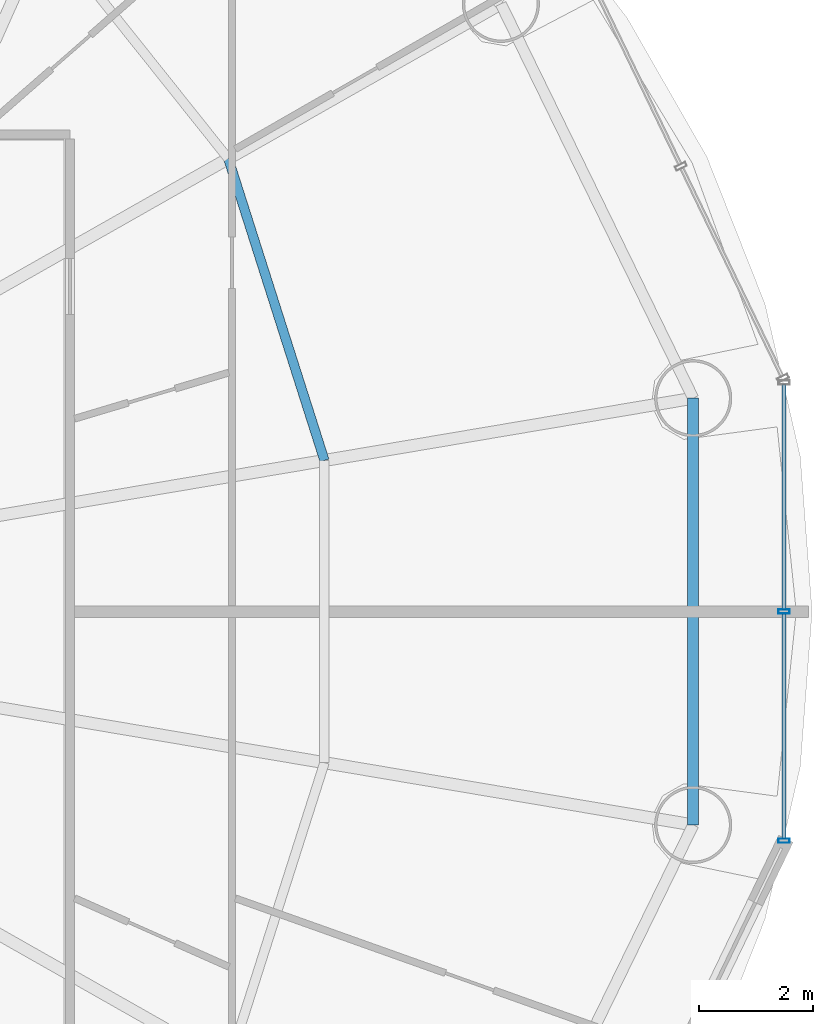
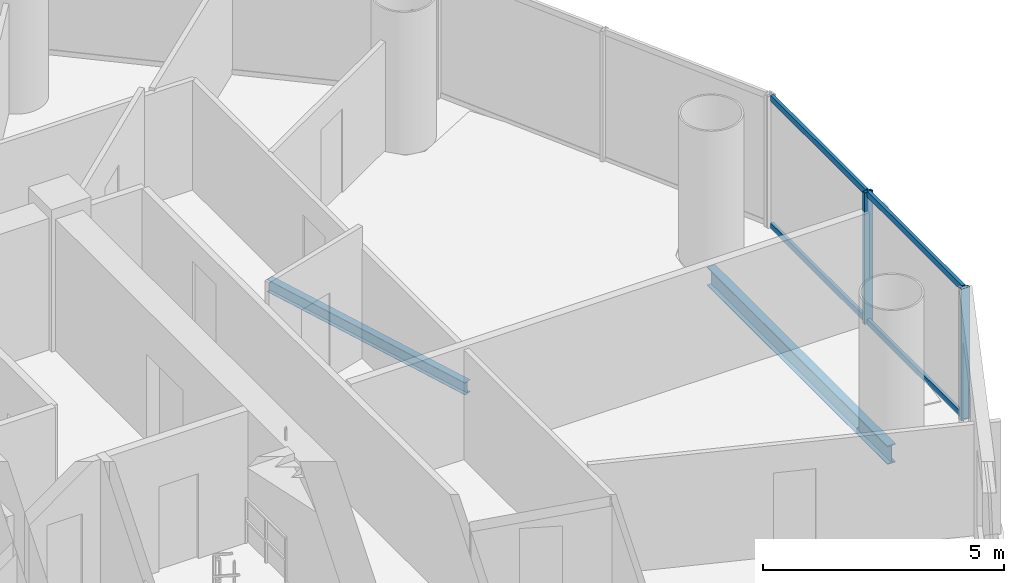
# One storey, part 12 of 27: 6 members, 2 beams, 1 element without a shape of its own.
"""IFC4 building model written with IfcOpenShell, lengths in metres."""

from ifc_helpers import new_model, si_unit, direction, frame, origin, origin_2d, place, context, subcontext, project, spatial, hollow_rectangle, i_section, extrude, source, transform, mapped, material, material_profile, profile_set, type_object, element, aggregate, save


model = new_model("IFC4")

# Units and contexts
model_context = context("Model", 3, precision=1e-05, world=origin(), true_north=direction((-0.2419218956, 0.970295726276)))
body_context = subcontext(model_context, "Body", "Model", "MODEL_VIEW")
ifc_project = project(units=[si_unit("LENGTHUNIT", "METRE"), si_unit("AREAUNIT", "SQUARE_METRE"), si_unit("VOLUMEUNIT", "CUBIC_METRE"), si_unit("PLANEANGLEUNIT", "RADIAN"), si_unit("MASSUNIT", "GRAM", prefix="KILO")], contexts=[model_context])

# Site, building, storey
site_placement = place(None, origin())
site = spatial("IfcSite", under=ifc_project, at=site_placement, CompositionType="ELEMENT")
building_placement = place(site_placement, origin())
building = spatial("IfcBuilding", under=site, at=building_placement, Name="Cobrevalo Terracotta Tower", CompositionType="ELEMENT")
storey_placement = place(building_placement, frame((0.0, 0.0, 164.199951171875)))
storey = spatial("IfcBuildingStorey", under=building, at=storey_placement, Name="L43", CompositionType="ELEMENT", Elevation=164.199951171875)

# Beams
ifc_material_1 = material(Name="Steel S355", Category="steel")
ifc_material_profile_1 = material_profile(ifc_material_1, i_section(OverallWidth=0.1650390625, OverallDepth=0.31005859375, WebThickness=0.005859375, FlangeThickness=0.009765625, at=origin_2d()), Name="W 310x38.7")
ifc_profile_set_1 = profile_set([ifc_material_profile_1], Name="Steel S355")
beam_type_1 = type_object("IfcBeamType", Name="Structural Joist W 310x38.7 (Steel S355)", PredefinedType="JOIST", material=ifc_profile_set_1)
beam_1_placement = place(storey_placement, frame((53.660888671875, 29.445556640625, -0.425048828125), z_axis=(-0.303497928386, 0.952832098255, 0.0), x_axis=(-0.952832098255, -0.303497928386, 0.0)))
element("IfcBeam", 1, at=beam_1_placement, inside=storey, type_object=beam_type_1, Name="L43 circumferential secondary floor joist 01", PredefinedType="JOIST", context=body_context, shape_type="SweptSolid", body=[
    extrude(i_section(OverallWidth=0.1650390625, OverallDepth=0.31005859375, WebThickness=0.005859375, FlangeThickness=0.009765625, at=origin_2d()), origin(), (0.0, 0.0, 1.0), 5.54736328125),
])
ifc_material_profile_2 = material_profile(ifc_material_1, i_section(OverallWidth=0.194091796875, OverallDepth=0.468994140625, WebThickness=0.011474609375, FlangeThickness=0.0205078125, at=origin_2d()), Name="W 460x106")
ifc_profile_set_2 = profile_set([ifc_material_profile_2], Name="Steel S355")
beam_type_2 = type_object("IfcBeamType", Name="Structural Spandrel W 460x106 (Steel S355)", PredefinedType="SPANDREL", material=ifc_profile_set_2)
beam_2_placement = place(storey_placement, frame((60.11669921875, 23.06396484375, -0.50439453125), z_axis=(0.0, 1.0, 0.0), x_axis=(-1.0, 0.0, 0.0)))
element("IfcBeam", 2, at=beam_2_placement, inside=storey, type_object=beam_type_2, Name="L43 perimeter ring spandrel 16", PredefinedType="SPANDREL", context=body_context, shape_type="SweptSolid", body=[
    extrude(i_section(OverallWidth=0.194091796875, OverallDepth=0.468994140625, WebThickness=0.011474609375, FlangeThickness=0.0205078125, at=origin_2d()), origin(), (0.0, 0.0, 1.0), 7.471923828125),
])

# Curtain wall, members
ifc_material_2 = material(Name="Anodized aluminium", Category="aluminium")
curtain_wall_type = type_object("IfcCurtainWallType", Name="Mid-tower high-wind unitised curtain wall CW-U2", PredefinedType="NOTDEFINED", material=ifc_material_2)
curtain_wall_placement = place(storey_placement, origin())
curtain_wall = element("IfcCurtainWall", 3, at=curtain_wall_placement, inside=storey, type_object=curtain_wall_type, Name="L43 curtain wall CW-L43-S16", PredefinedType="NOTDEFINED")
ifc_material_profile_3 = material_profile(ifc_material_2, hollow_rectangle(XDim=0.074951171875, YDim=0.199951171875, WallThickness=0.0048828125, at=origin_2d()), Name="CWM 75x200")
ifc_profile_set_3 = profile_set([ifc_material_profile_3], Name="Anodized aluminium")
member_type_1 = type_object("IfcMemberType", Name="Lower/mid tower unitised mullion 75x200", PredefinedType="MULLION", material=ifc_profile_set_3)
shared_shape_1 = source(origin(), body_context, "Body", "SweptSolid", [
    extrude(hollow_rectangle(XDim=0.074951171875, YDim=0.199951171875, WallThickness=0.0048828125, at=origin_2d()), origin(), (0.0, 0.0, 1.0), 3.330078125),
])
member_1_placement = place(storey_placement, frame((61.70556640625, 22.7880859375, 0.0), z_axis=(0.0, 0.0, 1.0), x_axis=(0.0, 1.0, 0.0)))
member_1 = element("IfcMember", 4, at=member_1_placement, type_object=member_type_1, Name="CW-L43-S16 vertical mullion 01", PredefinedType="MULLION", context=body_context, shape_type="MappedRepresentation", body=[
    mapped(shared_shape_1, transform((0.0, 0.0, 0.0), scale=1.0)),
])
member_2_placement = place(storey_placement, frame((61.70556640625, 26.800048828125, 0.0), z_axis=(0.0, 0.0, 1.0), x_axis=(0.0, 1.0, 0.0)))
member_2 = element("IfcMember", 5, at=member_2_placement, type_object=member_type_1, Name="CW-L43-S16 vertical mullion 02", PredefinedType="MULLION", context=body_context, shape_type="MappedRepresentation", body=[
    mapped(shared_shape_1, transform((0.0, 0.0, 0.0), scale=1.0)),
])
ifc_material_profile_4 = material_profile(ifc_material_2, hollow_rectangle(XDim=0.074951171875, YDim=0.14990234375, WallThickness=0.00439453125, at=origin_2d()), Name="CWT 75x150")
ifc_profile_set_4 = profile_set([ifc_material_profile_4], Name="Anodized aluminium")
member_type_2 = type_object("IfcMemberType", Name="Tower unitised aluminium transom 75x150", PredefinedType="USERDEFINED", material=ifc_profile_set_4)
shared_shape_2 = source(origin(), body_context, "Body", "SweptSolid", [
    extrude(hollow_rectangle(XDim=0.074951171875, YDim=0.14990234375, WallThickness=0.00439453125, at=origin_2d()), origin(), (0.0, 0.0, 1.0), 3.931884765625),
])
member_3_placement = place(storey_placement, frame((61.70556640625, 26.840087890625, 0.050048828125), z_axis=(0.0, 1.0, 0.0), x_axis=(-1.0, 0.0, 0.0)))
member_3 = element("IfcMember", 6, at=member_3_placement, type_object=member_type_2, Name="CW-L43-S16 transom B02-T1", ObjectType="TRANSOM", PredefinedType="USERDEFINED", context=body_context, shape_type="MappedRepresentation", body=[
    mapped(shared_shape_2, transform((0.0, 0.0, 0.0), scale=1.0)),
])
member_4_placement = place(storey_placement, frame((61.70556640625, 26.840087890625, 3.280029296875), z_axis=(0.0, 1.0, 0.0), x_axis=(-1.0, 0.0, 0.0)))
member_4 = element("IfcMember", 7, at=member_4_placement, type_object=member_type_2, Name="CW-L43-S16 transom B02-T2", ObjectType="TRANSOM", PredefinedType="USERDEFINED", context=body_context, shape_type="MappedRepresentation", body=[
    mapped(shared_shape_2, transform((0.0, 0.0, 0.0), scale=1.0)),
])
shared_shape_3 = source(origin(), body_context, "Body", "SweptSolid", [
    extrude(hollow_rectangle(XDim=0.074951171875, YDim=0.14990234375, WallThickness=0.00439453125, at=origin_2d()), origin(), (0.0, 0.0, 1.0), 3.93212890625),
])
member_5_placement = place(storey_placement, frame((61.70556640625, 22.827880859375, 0.050048828125), z_axis=(0.0, 1.0, 0.0), x_axis=(-1.0, 0.0, 0.0)))
member_5 = element("IfcMember", 8, at=member_5_placement, type_object=member_type_2, Name="CW-L43-S16 transom B01-T1", ObjectType="TRANSOM", PredefinedType="USERDEFINED", context=body_context, shape_type="MappedRepresentation", body=[
    mapped(shared_shape_3, transform((0.0, 0.0, 0.0), scale=1.0)),
])
member_6_placement = place(storey_placement, frame((61.70556640625, 22.827880859375, 3.280029296875), z_axis=(0.0, 1.0, 0.0), x_axis=(-1.0, 0.0, 0.0)))
member_6 = element("IfcMember", 9, at=member_6_placement, type_object=member_type_2, Name="CW-L43-S16 transom B01-T2", ObjectType="TRANSOM", PredefinedType="USERDEFINED", context=body_context, shape_type="MappedRepresentation", body=[
    mapped(shared_shape_3, transform((0.0, 0.0, 0.0), scale=1.0)),
])
aggregate(curtain_wall, [member_1, member_2, member_5, member_6, member_3, member_4])

save(model, "model.ifc")
